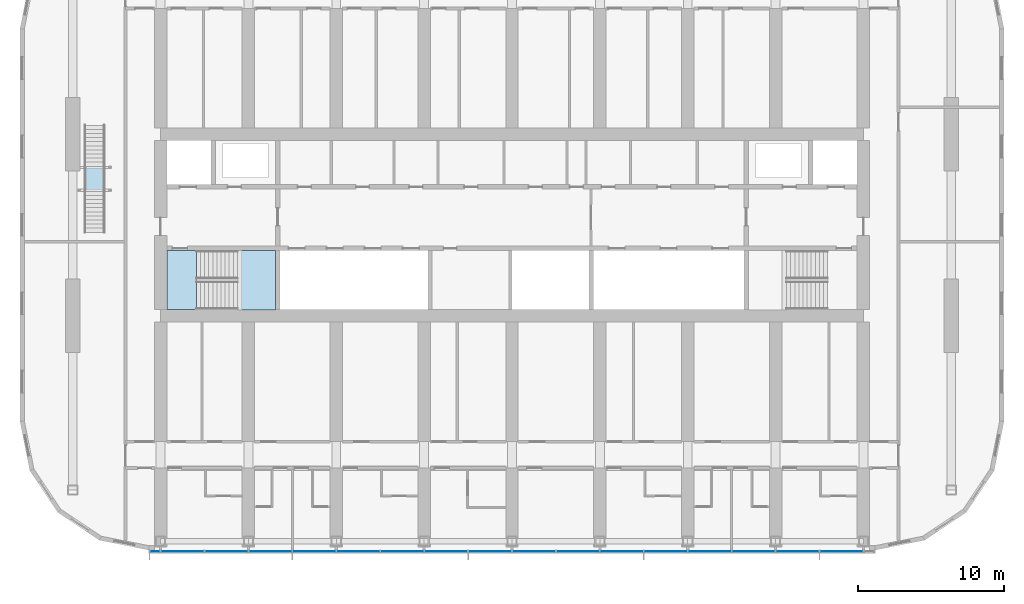
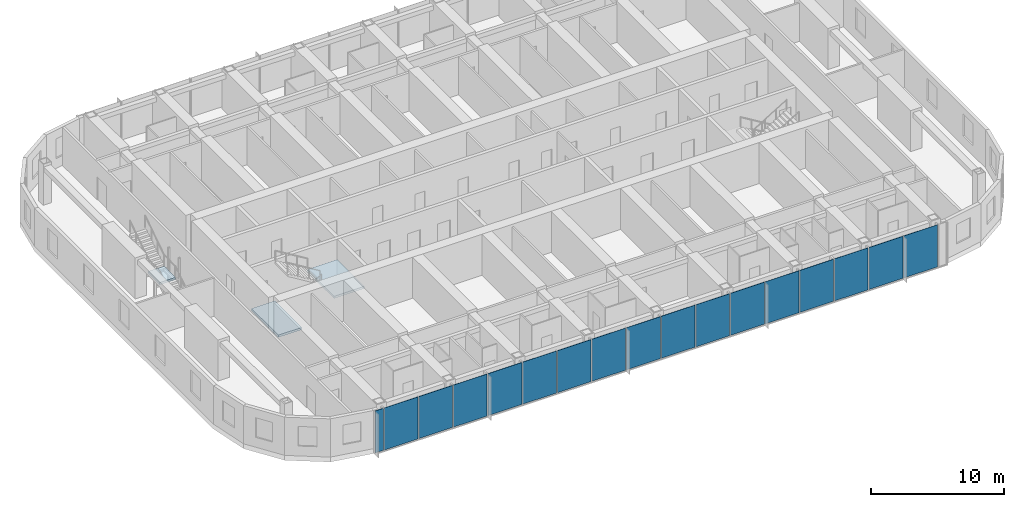
# One storey, part 9 of 28: 17 plates, 3 slabs, 3 elements without a shape of their own.
"""IFC4 building model written with IfcOpenShell, lengths in metres."""

from ifc_helpers import new_model, si_unit, direction, frame, origin, origin_2d, place, context, subcontext, project, spatial, polyline, rectangle, outline, extrude, material, layer, layer_set, type_object, element, aggregate, save


model = new_model("IFC4")

# Units and contexts
model_context = context("Model", 3, precision=1e-05, world=origin(), true_north=direction((0.0, 1.0)))
body_context = subcontext(model_context, "Body", "Model", "MODEL_VIEW")
ifc_project = project(units=[si_unit("LENGTHUNIT", "METRE"), si_unit("AREAUNIT", "SQUARE_METRE"), si_unit("VOLUMEUNIT", "CUBIC_METRE"), si_unit("PLANEANGLEUNIT", "RADIAN"), si_unit("MASSUNIT", "GRAM", prefix="KILO")], contexts=[model_context])

# Site, building, storey
site_placement = place(None, origin())
site = spatial("IfcSite", under=ifc_project, at=site_placement, CompositionType="ELEMENT")
building_placement = place(site_placement, origin())
building = spatial("IfcBuilding", under=site, at=building_placement, Name="Orbita Commons", CompositionType="ELEMENT")
storey_placement = place(building_placement, frame((0.0, 0.0, 193.60009765625)))
storey = spatial("IfcBuildingStorey", under=building, at=storey_placement, Name="L48", CompositionType="ELEMENT", Elevation=193.60009765625)

# Stair, slab
ifc_material_1 = material(Name="Steel ASTM A992 stringers, precast concrete C40/50 terrazzo treads", Category="concrete")
stair_type_1 = type_object("IfcStairType", Name="Feature stair 22 risers 170 x 280 x 1400", PredefinedType="STRAIGHT_RUN_STAIR", material=ifc_material_1)
stair_1_placement = place(storey_placement, origin())
stair_1 = element("IfcStair", 1, at=stair_1_placement, inside=storey, type_object=stair_type_1, Name="Neighbourhood stair L48 to L49", PredefinedType="STRAIGHT_RUN_STAIR")
ifc_material_2 = material(Name="Concrete C40/50", Category="concrete")
ifc_layer_1 = layer(ifc_material_2, 0.199951171875)
ifc_layer_set_1 = layer_set([ifc_layer_1], Name="Concrete C40/50")
slab_type_1 = type_object("IfcSlabType", Name="Feature stair landing 200", PredefinedType="LANDING", material=ifc_layer_set_1)
slab_1_placement = place(storey_placement, frame((0.0, 0.0, 1.6748046875)))
slab_1 = element("IfcSlab", 2, at=slab_1_placement, type_object=slab_type_1, Name="FS landing 1", PredefinedType="LANDING", context=body_context, shape_type="SweptSolid", body=[
    extrude(outline(polyline([(12.800048828125, 34.300048828125), (14.199951171875, 34.300048828125), (14.199951171875, 36.010009765625), (12.800048828125, 36.010009765625), (12.800048828125, 34.300048828125)])), origin(), (0.0, 0.0, 1.0), 0.2001953125),
])
aggregate(stair_1, [slab_1])

# Curtain wall, plates
ifc_material_3 = material(Name="Anodised aluminium frame, pale silver", Category="aluminium")
curtain_wall_type = type_object("IfcCurtainWallType", Name="Unitised curtain wall CW-U, full-height vision", PredefinedType="NOTDEFINED", material=ifc_material_3)
curtain_wall_placement = place(storey_placement, origin())
curtain_wall = element("IfcCurtainWall", 3, at=curtain_wall_placement, inside=storey, type_object=curtain_wall_type, Name="Curtain wall south L48", PredefinedType="NOTDEFINED")
ifc_material_4 = material(Name="Clear double glazing", Category="glass")
ifc_layer_2 = layer(ifc_material_4, 0.031982421875)
ifc_layer_set_2 = layer_set([ifc_layer_2], Name="Clear double glazing")
plate_type = type_object("IfcPlateType", Name="Full-height vision panel, clear glazing 32", PredefinedType="CURTAIN_PANEL", material=ifc_layer_set_2)
plate_1_placement = place(storey_placement, frame((17.6201171875, 9.68994140625, -0.35009765625), z_axis=(0.0, 0.0, 1.0), x_axis=(1.0, 0.0, 0.0)))
plate_1 = element("IfcPlate", 4, at=plate_1_placement, type_object=plate_type, Name="Panel 1.1 CW-L48-S", PredefinedType="CURTAIN_PANEL", context=body_context, shape_type="SweptSolid", body=[
    extrude(rectangle(XDim=0.679931640625, YDim=0.031982421875, at=origin_2d()), origin(), (0.0, 0.0, 1.0), 3.85009765625),
])
plate_2_placement = place(storey_placement, frame((19.5, 9.68994140625, -0.35009765625), z_axis=(0.0, 0.0, 1.0), x_axis=(1.0, 0.0, 0.0)))
plate_2 = element("IfcPlate", 5, at=plate_2_placement, type_object=plate_type, Name="Panel 2.1 CW-L48-S", PredefinedType="CURTAIN_PANEL", context=body_context, shape_type="SweptSolid", body=[
    extrude(rectangle(XDim=2.919921875, YDim=0.031982421875, at=origin_2d()), origin(), (0.0, 0.0, 1.0), 3.85009765625),
])
plate_3_placement = place(storey_placement, frame((22.5, 9.68994140625, -0.35009765625), z_axis=(0.0, 0.0, 1.0), x_axis=(1.0, 0.0, 0.0)))
plate_3 = element("IfcPlate", 6, at=plate_3_placement, type_object=plate_type, Name="Panel 3.1 CW-L48-S", PredefinedType="CURTAIN_PANEL", context=body_context, shape_type="SweptSolid", body=[
    extrude(rectangle(XDim=2.919921875, YDim=0.031982421875, at=origin_2d()), origin(), (0.0, 0.0, 1.0), 3.85009765625),
])
plate_4_placement = place(storey_placement, frame((25.5, 9.68994140625, -0.35009765625), z_axis=(0.0, 0.0, 1.0), x_axis=(1.0, 0.0, 0.0)))
plate_4 = element("IfcPlate", 7, at=plate_4_placement, type_object=plate_type, Name="Panel 4.1 CW-L48-S", PredefinedType="CURTAIN_PANEL", context=body_context, shape_type="SweptSolid", body=[
    extrude(rectangle(XDim=2.919921875, YDim=0.031982421875, at=origin_2d()), origin(), (0.0, 0.0, 1.0), 3.85009765625),
])
plate_5_placement = place(storey_placement, frame((28.5, 9.68994140625, -0.35009765625), z_axis=(0.0, 0.0, 1.0), x_axis=(1.0, 0.0, 0.0)))
plate_5 = element("IfcPlate", 8, at=plate_5_placement, type_object=plate_type, Name="Panel 5.1 CW-L48-S", PredefinedType="CURTAIN_PANEL", context=body_context, shape_type="SweptSolid", body=[
    extrude(rectangle(XDim=2.919921875, YDim=0.031982421875, at=origin_2d()), origin(), (0.0, 0.0, 1.0), 3.85009765625),
])
plate_6_placement = place(storey_placement, frame((31.5, 9.68994140625, -0.35009765625), z_axis=(0.0, 0.0, 1.0), x_axis=(1.0, 0.0, 0.0)))
plate_6 = element("IfcPlate", 9, at=plate_6_placement, type_object=plate_type, Name="Panel 6.1 CW-L48-S", PredefinedType="CURTAIN_PANEL", context=body_context, shape_type="SweptSolid", body=[
    extrude(rectangle(XDim=2.919921875, YDim=0.031982421875, at=origin_2d()), origin(), (0.0, 0.0, 1.0), 3.85009765625),
])
plate_7_placement = place(storey_placement, frame((34.5, 9.68994140625, -0.35009765625), z_axis=(0.0, 0.0, 1.0), x_axis=(1.0, 0.0, 0.0)))
plate_7 = element("IfcPlate", 10, at=plate_7_placement, type_object=plate_type, Name="Panel 7.1 CW-L48-S", PredefinedType="CURTAIN_PANEL", context=body_context, shape_type="SweptSolid", body=[
    extrude(rectangle(XDim=2.919921875, YDim=0.031982421875, at=origin_2d()), origin(), (0.0, 0.0, 1.0), 3.85009765625),
])
plate_8_placement = place(storey_placement, frame((37.5, 9.68994140625, -0.35009765625), z_axis=(0.0, 0.0, 1.0), x_axis=(1.0, 0.0, 0.0)))
plate_8 = element("IfcPlate", 11, at=plate_8_placement, type_object=plate_type, Name="Panel 8.1 CW-L48-S", PredefinedType="CURTAIN_PANEL", context=body_context, shape_type="SweptSolid", body=[
    extrude(rectangle(XDim=2.919921875, YDim=0.031982421875, at=origin_2d()), origin(), (0.0, 0.0, 1.0), 3.85009765625),
])
plate_9_placement = place(storey_placement, frame((40.5, 9.68994140625, -0.35009765625), z_axis=(0.0, 0.0, 1.0), x_axis=(1.0, 0.0, 0.0)))
plate_9 = element("IfcPlate", 12, at=plate_9_placement, type_object=plate_type, Name="Panel 9.1 CW-L48-S", PredefinedType="CURTAIN_PANEL", context=body_context, shape_type="SweptSolid", body=[
    extrude(rectangle(XDim=2.919921875, YDim=0.031982421875, at=origin_2d()), origin(), (0.0, 0.0, 1.0), 3.85009765625),
])
plate_10_placement = place(storey_placement, frame((43.5, 9.68994140625, -0.35009765625), z_axis=(0.0, 0.0, 1.0), x_axis=(1.0, 0.0, 0.0)))
plate_10 = element("IfcPlate", 13, at=plate_10_placement, type_object=plate_type, Name="Panel 10.1 CW-L48-S", PredefinedType="CURTAIN_PANEL", context=body_context, shape_type="SweptSolid", body=[
    extrude(rectangle(XDim=2.919921875, YDim=0.031982421875, at=origin_2d()), origin(), (0.0, 0.0, 1.0), 3.85009765625),
])
plate_11_placement = place(storey_placement, frame((46.5, 9.68994140625, -0.35009765625), z_axis=(0.0, 0.0, 1.0), x_axis=(1.0, 0.0, 0.0)))
plate_11 = element("IfcPlate", 14, at=plate_11_placement, type_object=plate_type, Name="Panel 11.1 CW-L48-S", PredefinedType="CURTAIN_PANEL", context=body_context, shape_type="SweptSolid", body=[
    extrude(rectangle(XDim=2.919921875, YDim=0.031982421875, at=origin_2d()), origin(), (0.0, 0.0, 1.0), 3.85009765625),
])
plate_12_placement = place(storey_placement, frame((49.5, 9.68994140625, -0.35009765625), z_axis=(0.0, 0.0, 1.0), x_axis=(1.0, 0.0, 0.0)))
plate_12 = element("IfcPlate", 15, at=plate_12_placement, type_object=plate_type, Name="Panel 12.1 CW-L48-S", PredefinedType="CURTAIN_PANEL", context=body_context, shape_type="SweptSolid", body=[
    extrude(rectangle(XDim=2.919921875, YDim=0.031982421875, at=origin_2d()), origin(), (0.0, 0.0, 1.0), 3.85009765625),
])
plate_13_placement = place(storey_placement, frame((52.5, 9.68994140625, -0.35009765625), z_axis=(0.0, 0.0, 1.0), x_axis=(1.0, 0.0, 0.0)))
plate_13 = element("IfcPlate", 16, at=plate_13_placement, type_object=plate_type, Name="Panel 13.1 CW-L48-S", PredefinedType="CURTAIN_PANEL", context=body_context, shape_type="SweptSolid", body=[
    extrude(rectangle(XDim=2.919921875, YDim=0.031982421875, at=origin_2d()), origin(), (0.0, 0.0, 1.0), 3.85009765625),
])
plate_14_placement = place(storey_placement, frame((55.5, 9.68994140625, -0.35009765625), z_axis=(0.0, 0.0, 1.0), x_axis=(1.0, 0.0, 0.0)))
plate_14 = element("IfcPlate", 17, at=plate_14_placement, type_object=plate_type, Name="Panel 14.1 CW-L48-S", PredefinedType="CURTAIN_PANEL", context=body_context, shape_type="SweptSolid", body=[
    extrude(rectangle(XDim=2.919921875, YDim=0.031982421875, at=origin_2d()), origin(), (0.0, 0.0, 1.0), 3.85009765625),
])
plate_15_placement = place(storey_placement, frame((58.5, 9.68994140625, -0.35009765625), z_axis=(0.0, 0.0, 1.0), x_axis=(1.0, 0.0, 0.0)))
plate_15 = element("IfcPlate", 18, at=plate_15_placement, type_object=plate_type, Name="Panel 15.1 CW-L48-S", PredefinedType="CURTAIN_PANEL", context=body_context, shape_type="SweptSolid", body=[
    extrude(rectangle(XDim=2.919921875, YDim=0.031982421875, at=origin_2d()), origin(), (0.0, 0.0, 1.0), 3.85009765625),
])
plate_16_placement = place(storey_placement, frame((61.5, 9.68994140625, -0.35009765625), z_axis=(0.0, 0.0, 1.0), x_axis=(1.0, 0.0, 0.0)))
plate_16 = element("IfcPlate", 19, at=plate_16_placement, type_object=plate_type, Name="Panel 16.1 CW-L48-S", PredefinedType="CURTAIN_PANEL", context=body_context, shape_type="SweptSolid", body=[
    extrude(rectangle(XDim=2.919921875, YDim=0.031982421875, at=origin_2d()), origin(), (0.0, 0.0, 1.0), 3.85009765625),
])
plate_17_placement = place(storey_placement, frame((64.5, 9.68994140625, -0.35009765625), z_axis=(0.0, 0.0, 1.0), x_axis=(1.0, 0.0, 0.0)))
plate_17 = element("IfcPlate", 20, at=plate_17_placement, type_object=plate_type, Name="Panel 17.1 CW-L48-S", PredefinedType="CURTAIN_PANEL", context=body_context, shape_type="SweptSolid", body=[
    extrude(rectangle(XDim=2.919921875, YDim=0.031982421875, at=origin_2d()), origin(), (0.0, 0.0, 1.0), 3.85009765625),
])
aggregate(curtain_wall, [plate_1, plate_2, plate_3, plate_4, plate_5, plate_6, plate_7, plate_8, plate_9, plate_10, plate_11, plate_12, plate_13, plate_14, plate_15, plate_16, plate_17])

# Stair, slabs
ifc_material_5 = material(Name="Precast concrete C40/50", Category="concrete")
stair_type_2 = type_object("IfcStairType", Name="Exit stair S1 2 flights 11 risers 170", PredefinedType="HALF_TURN_STAIR", material=ifc_material_5)
stair_2_placement = place(storey_placement, origin())
stair_2 = element("IfcStair", 21, at=stair_2_placement, inside=storey, type_object=stair_type_2, Name="Exit stair S1 L48", PredefinedType="HALF_TURN_STAIR")
ifc_material_6 = material(Name="Concrete C40/50", Category="concrete")
ifc_layer_3 = layer(ifc_material_6, 0.199951171875)
ifc_layer_set_3 = layer_set([ifc_layer_3], Name="Concrete C40/50")
slab_type_2 = type_object("IfcSlabType", Name="Stair landing 200", PredefinedType="LANDING", material=ifc_layer_set_3)
slab_2_placement = place(storey_placement, frame((0.0, 0.0, -0.2001953125)))
slab_2 = element("IfcSlab", 22, at=slab_2_placement, type_object=slab_type_2, Name="S1 landing 1", PredefinedType="LANDING", context=body_context, shape_type="SweptSolid", body=[
    extrude(outline(polyline([(18.425048828125, 26.22509765625), (20.449951171875, 26.22509765625), (20.449951171875, 30.25), (18.425048828125, 30.25), (18.425048828125, 26.22509765625)])), origin(), (0.0, 0.0, 1.0), 0.2001953125),
])
slab_3_placement = place(storey_placement, frame((0.0, 0.0, 1.6748046875)))
slab_3 = element("IfcSlab", 23, at=slab_3_placement, type_object=slab_type_2, Name="S1 landing 2", PredefinedType="LANDING", context=body_context, shape_type="SweptSolid", body=[
    extrude(outline(polyline([(23.25, 26.2099609375), (25.864990234375, 26.2099609375), (25.864990234375, 30.264892578125), (23.25, 30.264892578125), (23.25, 26.2099609375)])), origin(), (0.0, 0.0, 1.0), 0.2001953125),
])
aggregate(stair_2, [slab_2, slab_3])

save(model, "model.ifc")
